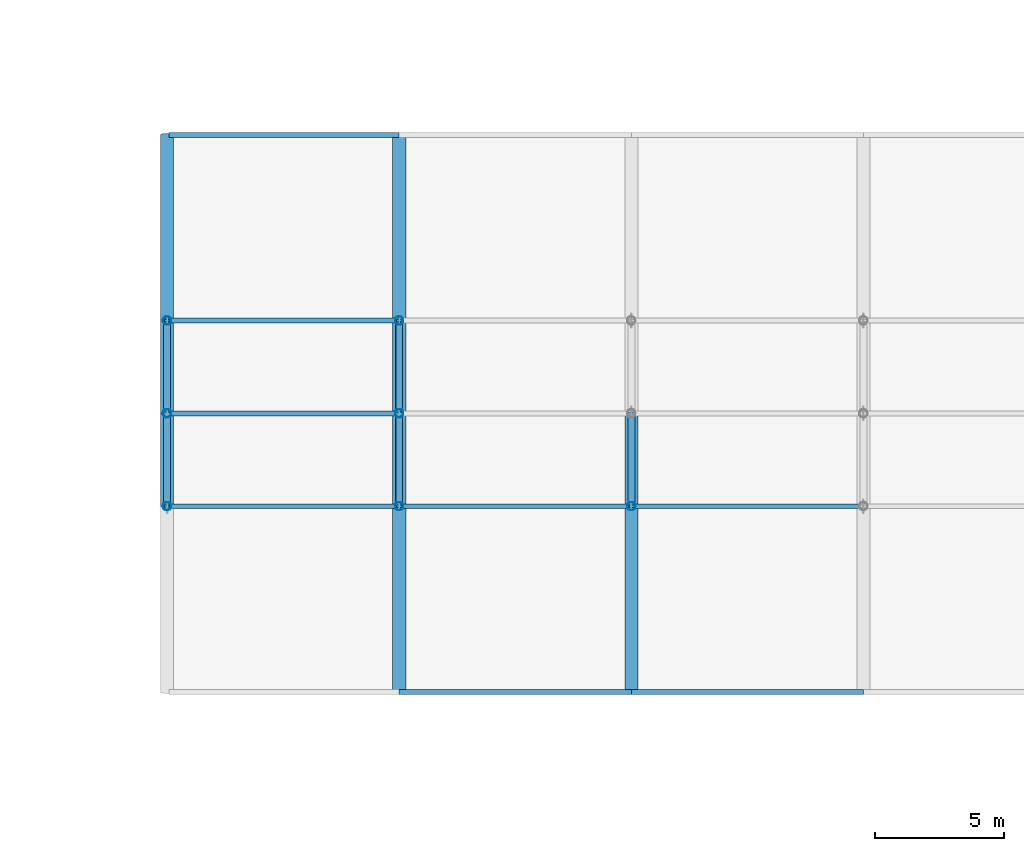
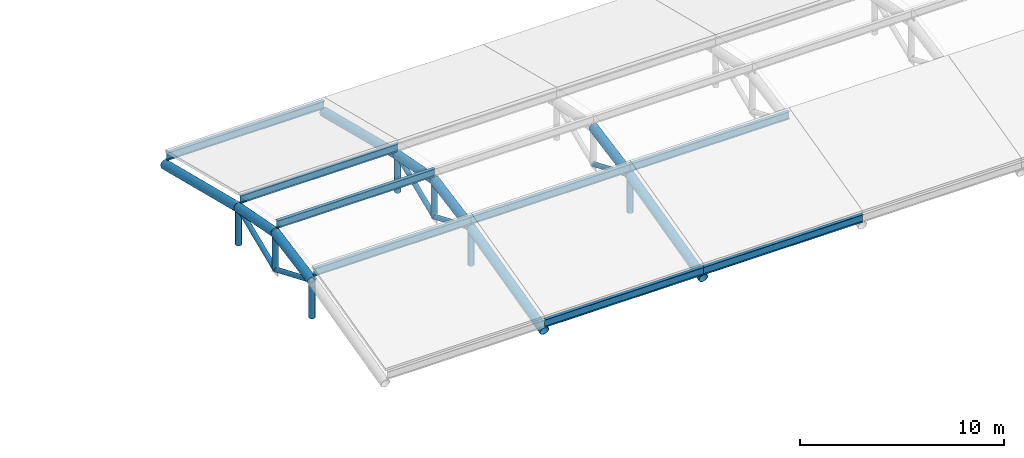
# One storey, part 37 of 52: 29 members.
"""IFC4 building model written with IfcOpenShell, lengths in metres."""

from ifc_helpers import new_model, si_unit, direction, frame, origin, origin_2d, place, context, subcontext, project, spatial, hollow_circle, i_section, extrude, material, material_profile, profile_set, type_object, element, save


model = new_model("IFC4")

# Units and contexts
model_context = context("Model", 3, precision=1e-05, world=origin(), true_north=direction((0.0, 1.0)))
body_context = subcontext(model_context, "Body", "Model", "MODEL_VIEW")
ifc_project = project(units=[si_unit("LENGTHUNIT", "METRE"), si_unit("AREAUNIT", "SQUARE_METRE"), si_unit("VOLUMEUNIT", "CUBIC_METRE"), si_unit("PLANEANGLEUNIT", "RADIAN"), si_unit("MASSUNIT", "GRAM", prefix="KILO")], contexts=[model_context])

# Site, building, storey
site_placement = place(None, origin())
site = spatial("IfcSite", under=ifc_project, at=site_placement, CompositionType="ELEMENT")
building_placement = place(site_placement, origin())
building = spatial("IfcBuilding", under=site, at=building_placement, Name="Celestram Park Convention Centre", CompositionType="ELEMENT")
storey_placement = place(building_placement, frame((0.0, 0.0, 24.300048828125)))
storey = spatial("IfcBuildingStorey", under=building, at=storey_placement, Name="L05", CompositionType="ELEMENT", Elevation=24.300048828125)

# Members
ifc_material_1 = material(Name="Steel ASTM A500 Grade C", Category="steel")
ifc_material_profile_1 = material_profile(ifc_material_1, hollow_circle(Radius=0.136474609375, WallThickness=0.010009765625, at=origin_2d()), Name="CHS273X10")
ifc_profile_set_1 = profile_set([ifc_material_profile_1], Name="Steel ASTM A500 Grade C")
member_type_1 = type_object("IfcMemberType", Name="STR-BRC-CHS273", PredefinedType="BRACE", material=ifc_profile_set_1)
for number, where, z_axis, x_axis, name in (
    (1, (153.0, 136.800048828125, 1.7294921875), (0.0, 0.921644787472, -0.388034645007), (-1.0, 0.0, 0.0), "V2 arch web diagonal"),
    (2, (153.0, 140.39990234375, 0.2138671875), (0.0, 0.921654198179, 0.388012292303), (-1.0, 0.0, 0.0), "V2 arch web diagonal"),
    (3, (162.0, 136.800048828125, 1.7294921875), (0.0, 0.921644787472, -0.388034645007), (-1.0, 0.0, 0.0), "V2 arch web diagonal"),
    (4, (162.0, 140.39990234375, 0.2138671875), (0.0, 0.921654198179, 0.388012292303), (-1.0, 0.0, 0.0), "V2 arch web diagonal"),
    (5, (171.0, 136.800048828125, 1.7294921875), (0.0, 0.921644787472, -0.388034645007), (-1.0, 0.0, 0.0), "V2 arch web diagonal"),
):
    element("IfcMember", number, at=place(storey_placement, frame(where, z_axis=z_axis, x_axis=x_axis)), inside=storey, type_object=member_type_1, Name=name, PredefinedType="BRACE", context=body_context, shape_type="SweptSolid", body=[
        extrude(hollow_circle(Radius=0.136474609375, WallThickness=0.010009765625, at=origin_2d()), origin(), (0.0, 0.0, 1.0), 3.906005859375),
    ])
ifc_material_profile_2 = material_profile(ifc_material_1, hollow_circle(Radius=0.25390625, WallThickness=0.01611328125, at=origin_2d()), Name="CHS508X16")
ifc_profile_set_2 = profile_set([ifc_material_profile_2], Name="Steel ASTM A500 Grade C")
member_type_2 = type_object("IfcMemberType", Name="STR-CHD-CHS508", PredefinedType="CHORD", material=ifc_profile_set_2)
member_1_placement = place(storey_placement, frame((153.0, 136.800048828125, 1.7294921875), z_axis=(0.0, 0.982394505455, 0.186818188762), x_axis=(-1.0, 0.0, 0.0)))
element("IfcMember", 6, at=member_1_placement, inside=storey, type_object=member_type_2, Name="V2 arch top chord", PredefinedType="CHORD", context=body_context, shape_type="SweptSolid", body=[
    extrude(hollow_circle(Radius=0.25390625, WallThickness=0.01611328125, at=origin_2d()), origin(), (0.0, 0.0, 1.0), 3.664306640625),
])
member_2_placement = place(storey_placement, frame((153.0, 140.39990234375, 2.4140625), z_axis=(0.0, 0.982396830529, -0.186805961807), x_axis=(-1.0, 0.0, 0.0)))
element("IfcMember", 7, at=member_2_placement, inside=storey, type_object=member_type_2, Name="V2 arch top chord", PredefinedType="CHORD", context=body_context, shape_type="SweptSolid", body=[
    extrude(hollow_circle(Radius=0.25390625, WallThickness=0.01611328125, at=origin_2d()), origin(), (0.0, 0.0, 1.0), 3.66455078125),
])
for number, where, z_axis, x_axis, name in (
    (8, (153.0, 144.0, 1.7294921875), (0.0, 0.970179256757, -0.242388551212), (-1.0, 0.0, 0.0), "V2 arch top chord"),
    (9, (162.0, 129.60009765625, -0.0693359375), (0.0, 0.970179256757, 0.242388551212), (-1.0, 0.0, 0.0), "V2 arch top chord"),
):
    element("IfcMember", number, at=place(storey_placement, frame(where, z_axis=z_axis, x_axis=x_axis)), inside=storey, type_object=member_type_2, Name=name, PredefinedType="CHORD", context=body_context, shape_type="SweptSolid", body=[
        extrude(hollow_circle(Radius=0.25390625, WallThickness=0.01611328125, at=origin_2d()), origin(), (0.0, 0.0, 1.0), 7.421142578125),
    ])
member_3_placement = place(storey_placement, frame((162.0, 136.800048828125, 1.7294921875), z_axis=(0.0, 0.982394505455, 0.186818188762), x_axis=(-1.0, 0.0, 0.0)))
element("IfcMember", 10, at=member_3_placement, inside=storey, type_object=member_type_2, Name="V2 arch top chord", PredefinedType="CHORD", context=body_context, shape_type="SweptSolid", body=[
    extrude(hollow_circle(Radius=0.25390625, WallThickness=0.01611328125, at=origin_2d()), origin(), (0.0, 0.0, 1.0), 3.664306640625),
])
member_4_placement = place(storey_placement, frame((162.0, 140.39990234375, 2.4140625), z_axis=(0.0, 0.982396830529, -0.186805961807), x_axis=(-1.0, 0.0, 0.0)))
element("IfcMember", 11, at=member_4_placement, inside=storey, type_object=member_type_2, Name="V2 arch top chord", PredefinedType="CHORD", context=body_context, shape_type="SweptSolid", body=[
    extrude(hollow_circle(Radius=0.25390625, WallThickness=0.01611328125, at=origin_2d()), origin(), (0.0, 0.0, 1.0), 3.66455078125),
])
for number, where, z_axis, x_axis, name in (
    (12, (162.0, 144.0, 1.7294921875), (0.0, 0.970179256757, -0.242388551212), (-1.0, 0.0, 0.0), "V2 arch top chord"),
    (13, (171.0, 129.60009765625, -0.0693359375), (0.0, 0.970179256757, 0.242388551212), (-1.0, 0.0, 0.0), "V2 arch top chord"),
):
    element("IfcMember", number, at=place(storey_placement, frame(where, z_axis=z_axis, x_axis=x_axis)), inside=storey, type_object=member_type_2, Name=name, PredefinedType="CHORD", context=body_context, shape_type="SweptSolid", body=[
        extrude(hollow_circle(Radius=0.25390625, WallThickness=0.01611328125, at=origin_2d()), origin(), (0.0, 0.0, 1.0), 7.421142578125),
    ])
member_5_placement = place(storey_placement, frame((171.0, 136.800048828125, 1.7294921875), z_axis=(0.0, 0.982394505455, 0.186818188762), x_axis=(-1.0, 0.0, 0.0)))
element("IfcMember", 14, at=member_5_placement, inside=storey, type_object=member_type_2, Name="V2 arch top chord", PredefinedType="CHORD", context=body_context, shape_type="SweptSolid", body=[
    extrude(hollow_circle(Radius=0.25390625, WallThickness=0.01611328125, at=origin_2d()), origin(), (0.0, 0.0, 1.0), 3.664306640625),
])
ifc_material_2 = material(Name="Steel ASTM A992 Grade 50", Category="steel")
ifc_material_profile_3 = material_profile(ifc_material_2, i_section(OverallWidth=0.19091796875, OverallDepth=0.45703125, WebThickness=0.009033203125, FlangeThickness=0.014404296875, at=origin_2d()), Name="W18X50")
ifc_profile_set_3 = profile_set([ifc_material_profile_3], Name="Steel ASTM A992 Grade 50")
member_type_3 = type_object("IfcMemberType", Name="STR-RFT-W18X50", PredefinedType="RAFTER", material=ifc_profile_set_3)
for number, where, z_axis, x_axis, name in (
    (15, (153.080078125, 136.800048828125, 2.2119140625), (1.0, 0.0, 0.0), (0.0, 1.0, 0.0), "V2 roof purlin"),
    (16, (153.080078125, 140.39990234375, 2.896484375), (1.0, 0.0, 0.0), (0.0, 1.0, 0.0), "V2 roof purlin"),
    (17, (153.080078125, 144.0, 2.2119140625), (1.0, 0.0, 0.0), (0.0, 1.0, 0.0), "V2 roof purlin"),
    (18, (153.080078125, 151.199951171875, 0.4130859375), (1.0, 0.0, 0.0), (0.0, 1.0, 0.0), "V2 roof purlin"),
):
    element("IfcMember", number, at=place(storey_placement, frame(where, z_axis=z_axis, x_axis=x_axis)), inside=storey, type_object=member_type_3, Name=name, PredefinedType="RAFTER", context=body_context, shape_type="SweptSolid", body=[
        extrude(i_section(OverallWidth=0.19091796875, OverallDepth=0.45703125, WebThickness=0.009033203125, FlangeThickness=0.014404296875, at=origin_2d()), origin(), (0.0, 0.0, 1.0), 8.919921875),
    ])
for number, where, z_axis, x_axis, name in (
    (19, (162.0, 129.60009765625, 0.4130859375), (1.0, 0.0, 0.0), (0.0, 1.0, 0.0), "V2 roof purlin"),
    (20, (162.0, 136.800048828125, 2.2119140625), (1.0, 0.0, 0.0), (0.0, 1.0, 0.0), "V2 roof purlin"),
    (21, (171.0, 129.60009765625, 0.4130859375), (1.0, 0.0, 0.0), (0.0, 1.0, 0.0), "V2 roof purlin"),
    (22, (171.0, 136.800048828125, 2.2119140625), (1.0, 0.0, 0.0), (0.0, 1.0, 0.0), "V2 roof purlin"),
):
    element("IfcMember", number, at=place(storey_placement, frame(where, z_axis=z_axis, x_axis=x_axis)), inside=storey, type_object=member_type_3, Name=name, PredefinedType="RAFTER", context=body_context, shape_type="SweptSolid", body=[
        extrude(i_section(OverallWidth=0.19091796875, OverallDepth=0.45703125, WebThickness=0.009033203125, FlangeThickness=0.014404296875, at=origin_2d()), origin(), (0.0, 0.0, 1.0), 9.0),
    ])
ifc_material_profile_4 = material_profile(ifc_material_1, hollow_circle(Radius=0.162109375, WallThickness=0.011962890625, at=origin_2d()), Name="CHS324X12")
ifc_profile_set_4 = profile_set([ifc_material_profile_4], Name="Steel ASTM A500 Grade C")
member_type_4 = type_object("IfcMemberType", Name="STR-STR-CHS324", PredefinedType="STRUT", material=ifc_profile_set_4)
member_6_placement = place(storey_placement, frame((153.0, 136.800048828125, -0.470458984375), z_axis=(0.0, 0.0, 1.0), x_axis=(1.0, 0.0, 0.0)))
element("IfcMember", 23, at=member_6_placement, inside=storey, type_object=member_type_4, Name="V2 arch vertical strut", PredefinedType="STRUT", context=body_context, shape_type="SweptSolid", body=[
    extrude(hollow_circle(Radius=0.162109375, WallThickness=0.011962890625, at=origin_2d()), origin(), (0.0, 0.0, 1.0), 2.199951171875),
])
member_7_placement = place(storey_placement, frame((153.0, 140.39990234375, 0.2138671875), z_axis=(0.0, 0.0, 1.0), x_axis=(1.0, 0.0, 0.0)))
element("IfcMember", 24, at=member_7_placement, inside=storey, type_object=member_type_4, Name="V2 arch vertical strut", PredefinedType="STRUT", context=body_context, shape_type="SweptSolid", body=[
    extrude(hollow_circle(Radius=0.162109375, WallThickness=0.011962890625, at=origin_2d()), origin(), (0.0, 0.0, 1.0), 2.2001953125),
])
for number, where, z_axis, x_axis, name in (
    (25, (153.0, 144.0, -0.470458984375), (0.0, 0.0, 1.0), (1.0, 0.0, 0.0), "V2 arch vertical strut"),
    (26, (162.0, 136.800048828125, -0.470458984375), (0.0, 0.0, 1.0), (1.0, 0.0, 0.0), "V2 arch vertical strut"),
):
    element("IfcMember", number, at=place(storey_placement, frame(where, z_axis=z_axis, x_axis=x_axis)), inside=storey, type_object=member_type_4, Name=name, PredefinedType="STRUT", context=body_context, shape_type="SweptSolid", body=[
        extrude(hollow_circle(Radius=0.162109375, WallThickness=0.011962890625, at=origin_2d()), origin(), (0.0, 0.0, 1.0), 2.199951171875),
    ])
member_8_placement = place(storey_placement, frame((162.0, 140.39990234375, 0.2138671875), z_axis=(0.0, 0.0, 1.0), x_axis=(1.0, 0.0, 0.0)))
element("IfcMember", 27, at=member_8_placement, inside=storey, type_object=member_type_4, Name="V2 arch vertical strut", PredefinedType="STRUT", context=body_context, shape_type="SweptSolid", body=[
    extrude(hollow_circle(Radius=0.162109375, WallThickness=0.011962890625, at=origin_2d()), origin(), (0.0, 0.0, 1.0), 2.2001953125),
])
for number, where, z_axis, x_axis, name in (
    (28, (162.0, 144.0, -0.470458984375), (0.0, 0.0, 1.0), (1.0, 0.0, 0.0), "V2 arch vertical strut"),
    (29, (171.0, 136.800048828125, -0.470458984375), (0.0, 0.0, 1.0), (1.0, 0.0, 0.0), "V2 arch vertical strut"),
):
    element("IfcMember", number, at=place(storey_placement, frame(where, z_axis=z_axis, x_axis=x_axis)), inside=storey, type_object=member_type_4, Name=name, PredefinedType="STRUT", context=body_context, shape_type="SweptSolid", body=[
        extrude(hollow_circle(Radius=0.162109375, WallThickness=0.011962890625, at=origin_2d()), origin(), (0.0, 0.0, 1.0), 2.199951171875),
    ])

save(model, "model.ifc")
